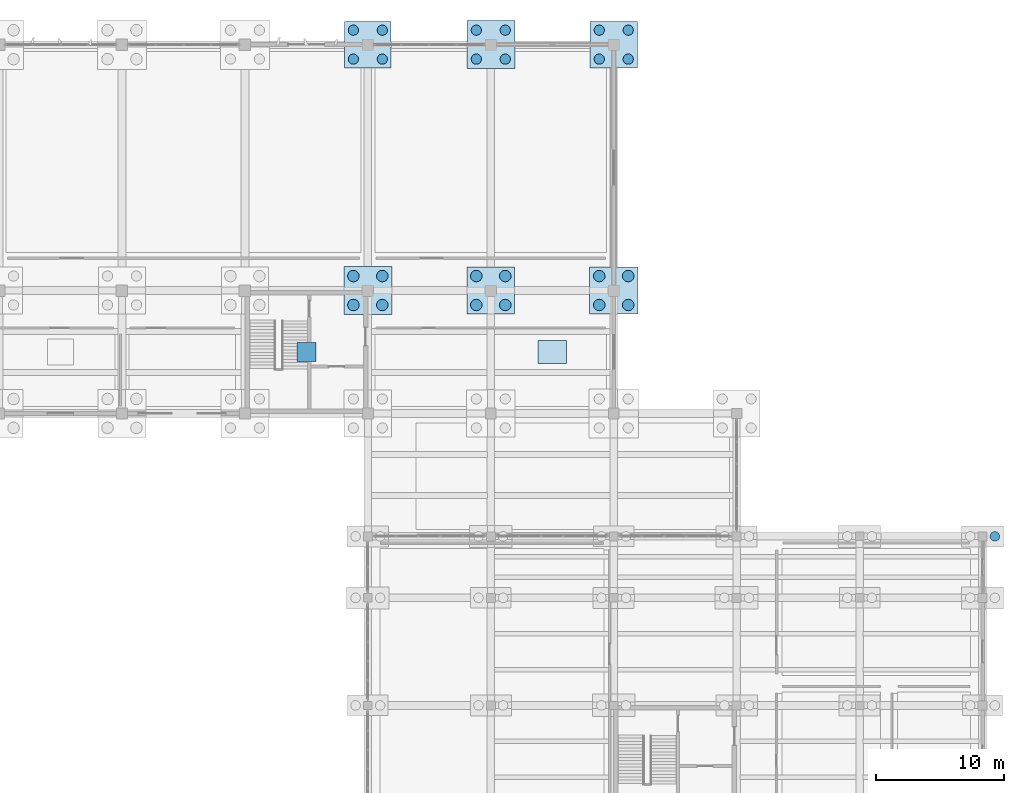
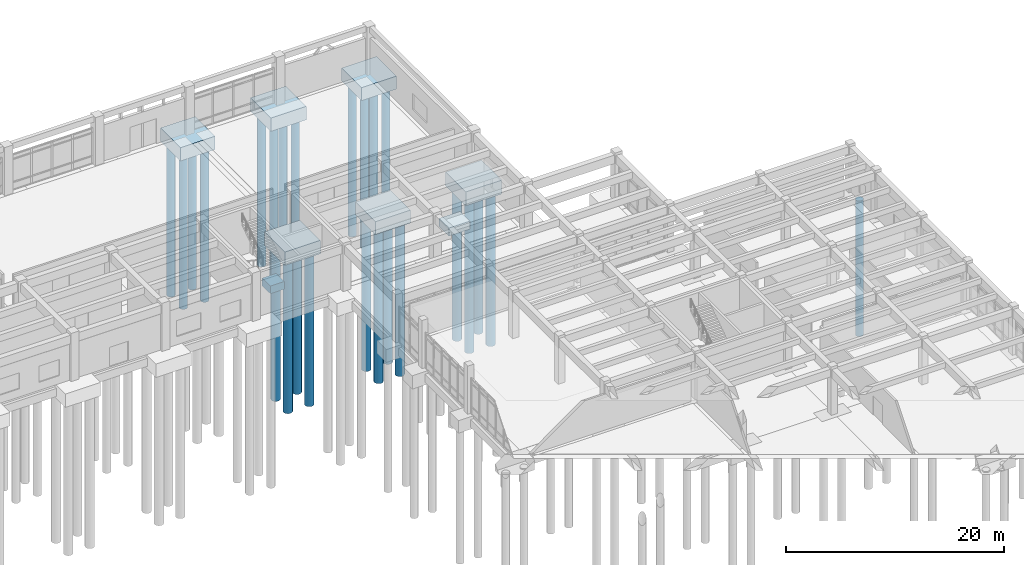
# One storey, part 8 of 102: 25 piles, 8 footings.
"""IFC4 building model written with IfcOpenShell, lengths in metres."""

from ifc_helpers import new_model, si_unit, direction, frame, origin, origin_2d, place, context, subcontext, project, spatial, rectangle, circle, extrude, material, material_profile, profile_set, type_object, element, save


model = new_model("IFC4")

# Units and contexts
model_context = context("Model", 3, precision=1e-05, world=origin(), true_north=direction((0.0, 1.0)))
body_context = subcontext(model_context, "Body", "Model", "MODEL_VIEW")
ifc_project = project(units=[si_unit("LENGTHUNIT", "METRE"), si_unit("AREAUNIT", "SQUARE_METRE"), si_unit("VOLUMEUNIT", "CUBIC_METRE"), si_unit("PLANEANGLEUNIT", "RADIAN"), si_unit("MASSUNIT", "GRAM", prefix="KILO")], contexts=[model_context])

# Site, building, storey
site_placement = place(None, origin())
site = spatial("IfcSite", under=ifc_project, at=site_placement, CompositionType="ELEMENT")
building_placement = place(site_placement, origin())
building = spatial("IfcBuilding", under=site, at=building_placement, Name="Kolvemor Railside Polytechnic", CompositionType="ELEMENT")
storey_placement = place(building_placement, origin())
storey = spatial("IfcBuildingStorey", under=building, at=storey_placement, Name="L00", CompositionType="ELEMENT", Elevation=0.0)

# Footings
ifc_material_1 = material(Name="Concrete C40/50", Category="concrete")
footing_type_1 = type_object("IfcFootingType", Name="FTG-PAD-B", PredefinedType="PAD_FOOTING", material=ifc_material_1)
footing_1_placement = place(storey_placement, frame((129.60009765625, 96.0, -1.150146484375), z_axis=(0.0, 0.0, 1.0), x_axis=(1.0, 0.0, 0.0)))
element("IfcFooting", 1, at=footing_1_placement, inside=storey, type_object=footing_type_1, Name="Machinery Pad Footing PF-05", PredefinedType="PAD_FOOTING", context=body_context, shape_type="SweptSolid", body=[
    extrude(rectangle(XDim=1.5, YDim=1.5, at=origin_2d()), origin(), (0.0, 0.0, 1.0), 0.85009765625),
])
ifc_material_2 = material(Name="Concrete C40/50", Category="concrete")
footing_type_2 = type_object("IfcFootingType", Name="FTG-PAD-C", PredefinedType="PAD_FOOTING", material=ifc_material_2)
footing_2_placement = place(storey_placement, frame((148.800048828125, 96.0, -1.199951171875), z_axis=(0.0, 0.0, 1.0), x_axis=(1.0, 0.0, 0.0)))
element("IfcFooting", 2, at=footing_2_placement, inside=storey, type_object=footing_type_2, Name="Machinery Pad Footing PF-06", PredefinedType="PAD_FOOTING", context=body_context, shape_type="SweptSolid", body=[
    extrude(rectangle(XDim=2.199951171875, YDim=1.800048828125, at=origin_2d()), origin(), (0.0, 0.0, 1.0), 0.89990234375),
])
ifc_material_3 = material(Name="Concrete C40/50", Category="concrete")
footing_type_3 = type_object("IfcFootingType", Name="FTG-PC-4P-A", PredefinedType="PILE_CAP", material=ifc_material_3)
for number, where, z_axis, x_axis, name in (
    (3, (134.39990234375, 100.800048828125, -1.5), (0.0, 0.0, 1.0), (1.0, 0.0, 0.0), "Pile Cap PC-193"),
    (4, (144.0, 120.0, -1.5), (0.0, 0.0, 1.0), (1.0, 0.0, 0.0), "Pile Cap PC-208"),
):
    element("IfcFooting", number, at=place(storey_placement, frame(where, z_axis=z_axis, x_axis=x_axis)), inside=storey, type_object=footing_type_3, Name=name, PredefinedType="PILE_CAP", context=body_context, shape_type="SweptSolid", body=[
        extrude(rectangle(XDim=3.75, YDim=3.75, at=origin_2d()), origin(), (0.0, 0.0, 1.0), 1.5),
    ])
ifc_material_4 = material(Name="Concrete C40/50", Category="concrete")
footing_type_4 = type_object("IfcFootingType", Name="FTG-PC-4P-B", PredefinedType="PILE_CAP", material=ifc_material_4)
footing_3_placement = place(storey_placement, frame((134.39990234375, 120.0, -1.5), z_axis=(0.0, 0.0, 1.0), x_axis=(1.0, 0.0, 0.0)))
element("IfcFooting", 5, at=footing_3_placement, inside=storey, type_object=footing_type_4, Name="Pile Cap PC-194", PredefinedType="PILE_CAP", context=body_context, shape_type="SweptSolid", body=[
    extrude(rectangle(XDim=3.64990234375, YDim=3.64990234375, at=origin_2d()), origin(), (0.0, 0.0, 1.0), 1.5),
])
ifc_material_5 = material(Name="Concrete C40/50", Category="concrete")
footing_type_5 = type_object("IfcFootingType", Name="FTG-PC-4P-D", PredefinedType="PILE_CAP", material=ifc_material_5)
footing_4_placement = place(storey_placement, frame((153.60009765625, 100.800048828125, -1.5498046875), z_axis=(0.0, 0.0, 1.0), x_axis=(1.0, 0.0, 0.0)))
element("IfcFooting", 6, at=footing_4_placement, inside=storey, type_object=footing_type_5, Name="Pile Cap PC-221", PredefinedType="PILE_CAP", context=body_context, shape_type="SweptSolid", body=[
    extrude(rectangle(XDim=3.800048828125, YDim=3.699951171875, at=origin_2d()), origin(), (0.0, 0.0, 1.0), 1.550048828125),
])
ifc_material_6 = material(Name="Concrete C40/50", Category="concrete")
footing_type_6 = type_object("IfcFootingType", Name="FTG-PC-4P-E", PredefinedType="PILE_CAP", material=ifc_material_6)
for number, where, z_axis, x_axis, name in (
    (7, (144.0, 100.800048828125, -1.4501953125), (0.0, 0.0, 1.0), (1.0, 0.0, 0.0), "Pile Cap PC-207"),
    (8, (153.60009765625, 120.0, -1.4501953125), (0.0, 0.0, 1.0), (1.0, 0.0, 0.0), "Pile Cap PC-222"),
):
    element("IfcFooting", number, at=place(storey_placement, frame(where, z_axis=z_axis, x_axis=x_axis)), inside=storey, type_object=footing_type_6, Name=name, PredefinedType="PILE_CAP", context=body_context, shape_type="SweptSolid", body=[
        extrude(rectangle(XDim=3.699951171875, YDim=3.64990234375, at=origin_2d()), origin(), (0.0, 0.0, 1.0), 1.449951171875),
    ])

# Piles
ifc_material_7 = material(Name="Concrete C40/50", Category="concrete")
ifc_material_profile_1 = material_profile(ifc_material_7, circle(Radius=0.375, at=origin_2d()), Name="BP750")
ifc_profile_set_1 = profile_set([ifc_material_profile_1], Name="Concrete C40/50")
pile_type_1 = type_object("IfcPileType", Name="PIL-BP750", PredefinedType="BORED", material=ifc_profile_set_1)
pile_placement = place(storey_placement, frame((183.360107421875, 81.60009765625, -1.330078125), z_axis=(0.0, 0.0, -1.0), x_axis=(1.0, 0.0, 0.0)))
element("IfcPile", 9, at=pile_placement, inside=storey, type_object=pile_type_1, Name="Bored Pile BP750-256-2", PredefinedType="BORED", context=body_context, shape_type="SweptSolid", body=[
    extrude(circle(Radius=0.375, at=origin_2d()), origin(), (0.0, 0.0, 1.0), 15.169921875),
])
ifc_material_8 = material(Name="Concrete C40/50", Category="concrete")
ifc_material_profile_2 = material_profile(ifc_material_8, circle(Radius=0.39990234375, at=origin_2d()), Name="BP800")
ifc_profile_set_2 = profile_set([ifc_material_profile_2], Name="Concrete C40/50")
pile_type_2 = type_object("IfcPileType", Name="PIL-BP800", PredefinedType="BORED", material=ifc_profile_set_2)
for number, where, z_axis, x_axis, name in (
    (10, (133.27001953125, 118.8701171875, -1.3798828125), (0.0, 0.0, -1.0), (1.0, 0.0, 0.0), "Bored Pile PIL-BP800-194-1"),
    (11, (133.27001953125, 121.1298828125, -1.3798828125), (0.0, 0.0, -1.0), (1.0, 0.0, 0.0), "Bored Pile PIL-BP800-194-2"),
    (12, (135.530029296875, 118.8701171875, -1.3798828125), (0.0, 0.0, -1.0), (1.0, 0.0, 0.0), "Bored Pile PIL-BP800-194-3"),
    (13, (135.530029296875, 121.1298828125, -1.3798828125), (0.0, 0.0, -1.0), (1.0, 0.0, 0.0), "Bored Pile PIL-BP800-194-4"),
    (14, (142.8701171875, 118.8701171875, -1.3798828125), (0.0, 0.0, -1.0), (1.0, 0.0, 0.0), "Bored Pile PIL-BP800-208-1"),
    (15, (142.8701171875, 121.1298828125, -1.3798828125), (0.0, 0.0, -1.0), (1.0, 0.0, 0.0), "Bored Pile PIL-BP800-208-2"),
    (16, (145.1298828125, 118.8701171875, -1.3798828125), (0.0, 0.0, -1.0), (1.0, 0.0, 0.0), "Bored Pile PIL-BP800-208-3"),
    (17, (145.1298828125, 121.1298828125, -1.3798828125), (0.0, 0.0, -1.0), (1.0, 0.0, 0.0), "Bored Pile PIL-BP800-208-4"),
):
    element("IfcPile", number, at=place(storey_placement, frame(where, z_axis=z_axis, x_axis=x_axis)), inside=storey, type_object=pile_type_2, Name=name, PredefinedType="BORED", context=body_context, shape_type="SweptSolid", body=[
        extrude(circle(Radius=0.39990234375, at=origin_2d()), origin(), (0.0, 0.0, 1.0), 17.1201171875),
    ])
for number, where, z_axis, x_axis, name in (
    (18, (152.469970703125, 118.8701171875, -1.330078125), (0.0, 0.0, -1.0), (1.0, 0.0, 0.0), "Bored Pile PIL-BP800-222-1"),
    (19, (152.469970703125, 121.1298828125, -1.330078125), (0.0, 0.0, -1.0), (1.0, 0.0, 0.0), "Bored Pile PIL-BP800-222-2"),
    (20, (154.72998046875, 118.8701171875, -1.330078125), (0.0, 0.0, -1.0), (1.0, 0.0, 0.0), "Bored Pile PIL-BP800-222-3"),
    (21, (154.72998046875, 121.1298828125, -1.330078125), (0.0, 0.0, -1.0), (1.0, 0.0, 0.0), "Bored Pile PIL-BP800-222-4"),
):
    element("IfcPile", number, at=place(storey_placement, frame(where, z_axis=z_axis, x_axis=x_axis)), inside=storey, type_object=pile_type_2, Name=name, PredefinedType="BORED", context=body_context, shape_type="SweptSolid", body=[
        extrude(circle(Radius=0.39990234375, at=origin_2d()), origin(), (0.0, 0.0, 1.0), 17.169921875),
    ])
ifc_material_9 = material(Name="Concrete C40/50", Category="concrete")
ifc_material_profile_3 = material_profile(ifc_material_9, circle(Radius=0.449951171875, at=origin_2d()), Name="BP900")
ifc_profile_set_3 = profile_set([ifc_material_profile_3], Name="Concrete C40/50")
pile_type_3 = type_object("IfcPileType", Name="PIL-BP900", PredefinedType="BORED", material=ifc_profile_set_3)
for number, where, z_axis, x_axis, name in (
    (22, (133.27001953125, 99.669921875, -1.3798828125), (0.0, 0.0, -1.0), (1.0, 0.0, 0.0), "Bored Pile PIL-BP900-193-1"),
    (23, (133.27001953125, 101.929931640625, -1.3798828125), (0.0, 0.0, -1.0), (1.0, 0.0, 0.0), "Bored Pile PIL-BP900-193-2"),
    (24, (135.530029296875, 99.669921875, -1.3798828125), (0.0, 0.0, -1.0), (1.0, 0.0, 0.0), "Bored Pile PIL-BP900-193-3"),
    (25, (135.530029296875, 101.929931640625, -1.3798828125), (0.0, 0.0, -1.0), (1.0, 0.0, 0.0), "Bored Pile PIL-BP900-193-4"),
):
    element("IfcPile", number, at=place(storey_placement, frame(where, z_axis=z_axis, x_axis=x_axis)), inside=storey, type_object=pile_type_3, Name=name, PredefinedType="BORED", context=body_context, shape_type="SweptSolid", body=[
        extrude(circle(Radius=0.449951171875, at=origin_2d()), origin(), (0.0, 0.0, 1.0), 17.1201171875),
    ])
for number, where, z_axis, x_axis, name in (
    (26, (142.8701171875, 99.669921875, -1.330078125), (0.0, 0.0, -1.0), (1.0, 0.0, 0.0), "Bored Pile PIL-BP900-207-1"),
    (27, (142.8701171875, 101.929931640625, -1.330078125), (0.0, 0.0, -1.0), (1.0, 0.0, 0.0), "Bored Pile PIL-BP900-207-2"),
    (28, (145.1298828125, 99.669921875, -1.330078125), (0.0, 0.0, -1.0), (1.0, 0.0, 0.0), "Bored Pile PIL-BP900-207-3"),
    (29, (145.1298828125, 101.929931640625, -1.330078125), (0.0, 0.0, -1.0), (1.0, 0.0, 0.0), "Bored Pile PIL-BP900-207-4"),
):
    element("IfcPile", number, at=place(storey_placement, frame(where, z_axis=z_axis, x_axis=x_axis)), inside=storey, type_object=pile_type_3, Name=name, PredefinedType="BORED", context=body_context, shape_type="SweptSolid", body=[
        extrude(circle(Radius=0.449951171875, at=origin_2d()), origin(), (0.0, 0.0, 1.0), 17.169921875),
    ])
for number, where, z_axis, x_axis, name in (
    (30, (152.469970703125, 99.669921875, -1.429931640625), (0.0, 0.0, -1.0), (1.0, 0.0, 0.0), "Bored Pile PIL-BP900-221-1"),
    (31, (152.469970703125, 101.929931640625, -1.429931640625), (0.0, 0.0, -1.0), (1.0, 0.0, 0.0), "Bored Pile PIL-BP900-221-2"),
    (32, (154.72998046875, 99.669921875, -1.429931640625), (0.0, 0.0, -1.0), (1.0, 0.0, 0.0), "Bored Pile PIL-BP900-221-3"),
    (33, (154.72998046875, 101.929931640625, -1.429931640625), (0.0, 0.0, -1.0), (1.0, 0.0, 0.0), "Bored Pile PIL-BP900-221-4"),
):
    element("IfcPile", number, at=place(storey_placement, frame(where, z_axis=z_axis, x_axis=x_axis)), inside=storey, type_object=pile_type_3, Name=name, PredefinedType="BORED", context=body_context, shape_type="SweptSolid", body=[
        extrude(circle(Radius=0.449951171875, at=origin_2d()), origin(), (0.0, 0.0, 1.0), 17.070068359375),
    ])

save(model, "model.ifc")
